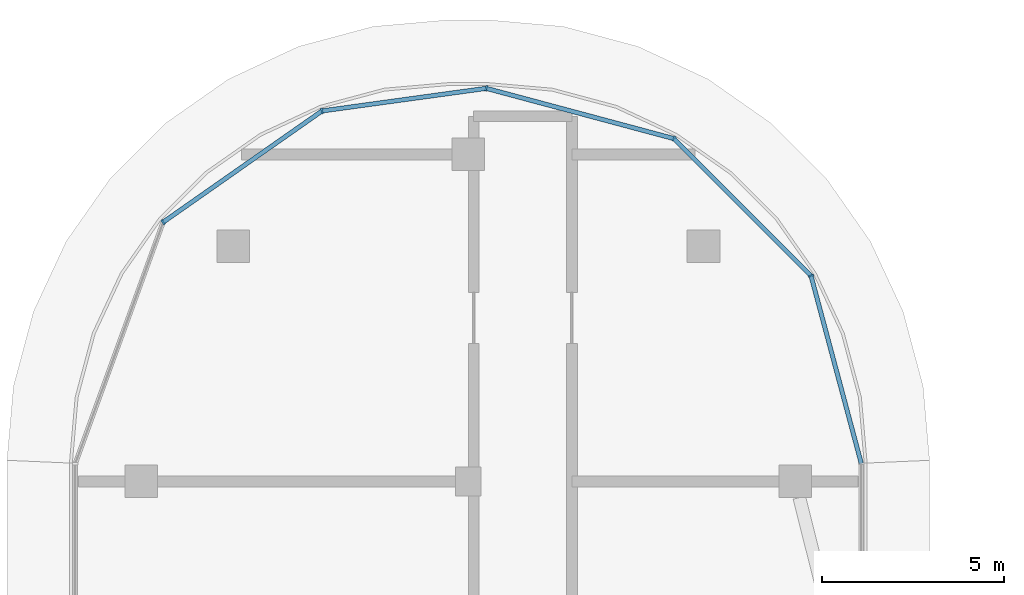
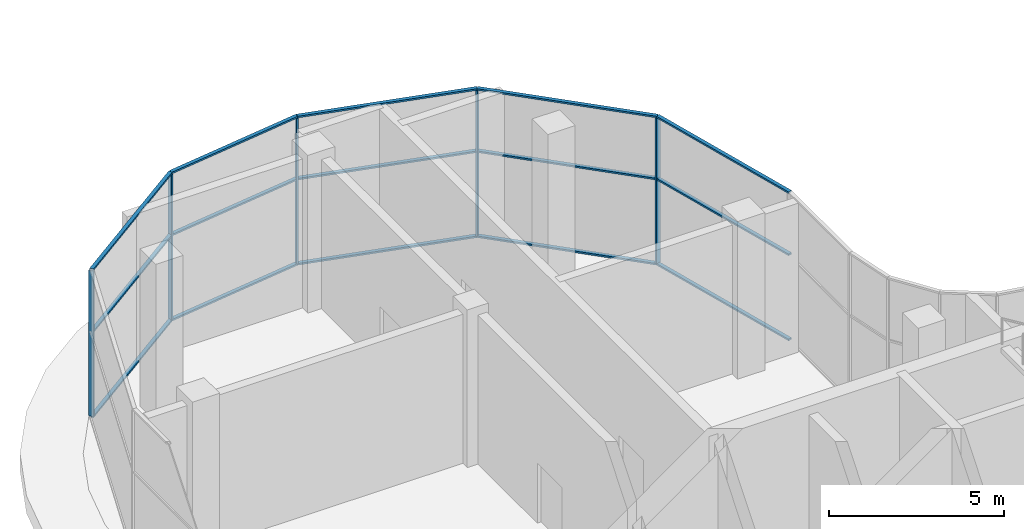
# One storey, part 9 of 23: 20 members, 1 element without a shape of its own.
"""IFC4 building model written with IfcOpenShell, lengths in metres."""

import ifcopenshell
import ifcopenshell.guid

model = None  # the IFC model being written
_history = None  # IfcOwnerHistory: only IFC2X3 demands one
_inside = {}  # id of a spatial element -> (the spatial element, [elements in it])
_under = {}  # id of a project, library or spatial element -> (it, [spatial elements below it])
_declared = {}  # id of a project -> (the project, [libraries it declares])
_typed = {}  # id of a type object -> (the type object, [elements of that type])
_made_of = {}  # id of a material, layer set ... -> (it, [elements and type objects made of it])


def new_model(schema):
    """Start an empty IFC model of exactly this schema.

    Asked for "IFC4X3", IfcOpenShell would pick the latest addendum, in which some entities
    have other attributes; the version numbers below select the first issue.
    IFC2X3 requires an IfcOwnerHistory on every rooted entity: one is made here for all.
    """
    global model, _history
    if schema == "IFC4X3":
        model = ifcopenshell.file(schema_version=(4, 3, 0, 0))
    else:
        model = ifcopenshell.file(schema=schema)
    _inside.clear()
    _under.clear()
    _declared.clear()
    _typed.clear()
    _made_of.clear()
    _history = None
    if model.schema == "IFC2X3":
        org = make("IfcOrganization", Name="unknown")
        user = make(
            "IfcPersonAndOrganization",
            ThePerson=make("IfcPerson", FamilyName="unknown"),
            TheOrganization=org,
        )
        app = make(
            "IfcApplication",
            ApplicationDeveloper=org,
            Version="unknown",
            ApplicationFullName="unknown",
            ApplicationIdentifier="unknown",
        )
        _history = make(
            "IfcOwnerHistory",
            OwningUser=user,
            OwningApplication=app,
            ChangeAction="ADDED",
            CreationDate=0,
        )
    return model


def make(cls, **values):
    """One entity of the class cls with the attributes given. An attribute that is None is left unset."""
    return model.create_entity(
        cls, **{name: value for name, value in values.items() if value is not None}
    )


def rooted(cls, **values):
    """An entity with a GlobalId (a new one), such as an element, a storey or a relation."""
    return make(cls, GlobalId=ifcopenshell.guid.new(), OwnerHistory=_history, **values)


def si_unit(unit_type, name, prefix=None):
    """IfcSIUnit, for example si_unit("LENGTHUNIT", "METRE", prefix="MILLI")."""
    return make("IfcSIUnit", UnitType=unit_type, Prefix=prefix, Name=name)


def assignment(units):
    """IfcUnitAssignment: the units of a project."""
    return None if units is None else make("IfcUnitAssignment", Units=units)


def point(xyz):
    """IfcCartesianPoint."""
    return None if xyz is None else make("IfcCartesianPoint", Coordinates=xyz)


def direction(xyz):
    """IfcDirection."""
    return None if xyz is None else make("IfcDirection", DirectionRatios=xyz)


def frame(location, z_axis=None, x_axis=None):
    """IfcAxis2Placement3D, a coordinate frame: its origin and axes. An axis left out is left unset."""
    return make(
        "IfcAxis2Placement3D",
        Location=point(location),
        Axis=direction(z_axis),
        RefDirection=direction(x_axis),
    )


def frame_2d(location, x_axis=None):
    """IfcAxis2Placement2D, a coordinate frame in the plane: its origin and x axis."""
    return make(
        "IfcAxis2Placement2D", Location=point(location), RefDirection=direction(x_axis)
    )


def origin():
    """The frame at (0, 0, 0) with its axes left unset."""
    return frame((0.0, 0.0, 0.0))


def origin_2d():
    """The frame at (0, 0) in the plane with its x axis left unset."""
    return frame_2d((0.0, 0.0))


def place(relative_to, where):
    """IfcLocalPlacement: puts the frame where relative to a parent placement (None: the world)."""
    return make(
        "IfcLocalPlacement", PlacementRelTo=relative_to, RelativePlacement=where
    )


def context(
    kind, dimensions, precision=None, world=None, true_north=None, identifier=None
):
    """IfcGeometricRepresentationContext, for example the 3D "Model" context."""
    return make(
        "IfcGeometricRepresentationContext",
        ContextIdentifier=identifier,
        ContextType=kind,
        CoordinateSpaceDimension=dimensions,
        Precision=precision,
        WorldCoordinateSystem=world,
        TrueNorth=true_north,
    )


def subcontext(parent, identifier, kind, view, scale=None):
    """IfcGeometricRepresentationSubContext, for example "Body" below "Model"."""
    return make(
        "IfcGeometricRepresentationSubContext",
        ContextIdentifier=identifier,
        ContextType=kind,
        ParentContext=parent,
        TargetScale=scale,
        TargetView=view,
    )


def project(units=None, contexts=None):
    """IfcProject with its units and contexts."""
    return rooted(
        "IfcProject",
        Name="project",
        RepresentationContexts=contexts,
        UnitsInContext=assignment(units),
    )


def spatial(cls, under=None, at=None, **own):
    """A site, building, storey or space (cls), placed at a placement, below another one or the project."""
    s = rooted(cls, ObjectPlacement=at, **own)
    if under is not None:
        _under.setdefault(under.id(), (under, []))[1].append(s)
    return s


def profile(cls, at=None, kind="AREA", **sizes):
    """A parametric profile (cls). Its sizes go by their IFC names, for example OverallWidth=200.0."""
    return make(cls, ProfileType=kind, Position=at, **sizes)


def rectangle(**sizes):
    """IfcRectangleProfileDef."""
    return profile("IfcRectangleProfileDef", **sizes)


def extrude(swept, where, along, depth):
    """IfcExtrudedAreaSolid: the profile swept, set in the frame where, extruded along a direction by depth."""
    return make(
        "IfcExtrudedAreaSolid",
        SweptArea=swept,
        Position=where,
        ExtrudedDirection=direction(along),
        Depth=depth,
    )


def shape(context_of_items, identifier, shape_type, items):
    """IfcShapeRepresentation: the items that make up one representation, for example the "Body"."""
    return make(
        "IfcShapeRepresentation",
        ContextOfItems=context_of_items,
        RepresentationIdentifier=identifier,
        RepresentationType=shape_type,
        Items=items,
    )


def material(Name=None, Category=None):
    """IfcMaterial."""
    return make("IfcMaterial", Name=Name, Category=Category)


def material_profile(
    of_material, cross_section, Name=None, Category=None, Priority=None
):
    """IfcMaterialProfile: a cross section and its material."""
    return make(
        "IfcMaterialProfile",
        Name=Name,
        Material=of_material,
        Profile=cross_section,
        Priority=Priority,
        Category=Category,
    )


def profile_set(profiles, Name=None, composite=None):
    """IfcMaterialProfileSet."""
    return make(
        "IfcMaterialProfileSet",
        Name=Name,
        MaterialProfiles=profiles,
        CompositeProfile=composite,
    )


def made_of(thing, what):
    """Note that an element or type object is made of a material, layer set ...; save() writes the relation."""
    if what is not None:
        _made_of.setdefault(what.id(), (what, []))[1].append(thing)
    return thing


def type_object(cls, material=None, **own):
    """A type object (cls), such as IfcWallType, which elements share."""
    return made_of(rooted(cls, **own), material)


def element(
    cls,
    number,
    at=None,
    inside=None,
    cuts=None,
    type_object=None,
    material=None,
    context=None,
    identifier="Body",
    shape_type=None,
    held_by="IfcProductDefinitionShape",
    body=None,
    shapes=None,
    **own,
):
    """One element of the class cls, such as IfcWall. Its Tag is "e" and its number.

    at: its placement. inside: the storey or other place that contains it. cuts: it is an
    opening in that element (IfcRelVoidsElement). A single representation is given by context,
    identifier, shape_type and body (its items); several are given by shapes. held_by: the class
    of the entity that holds the representations. save() writes the other relations.
    """
    e = rooted(cls, Tag="e%d" % number, ObjectPlacement=at, **own)
    if body is not None:
        shapes = [shape(context, identifier, shape_type, body)]
    if shapes is not None:
        e.Representation = make(held_by, Representations=shapes)
    if inside is not None:
        _inside.setdefault(inside.id(), (inside, []))[1].append(e)
    if cuts is not None:
        rooted(
            "IfcRelVoidsElement", RelatingBuildingElement=cuts, RelatedOpeningElement=e
        )
    if type_object is not None:
        _typed.setdefault(type_object.id(), (type_object, []))[1].append(e)
    return made_of(e, material)


def aggregate(whole, parts):
    """IfcRelAggregates: a whole, such as a stair, and the parts it consists of."""
    return rooted("IfcRelAggregates", RelatingObject=whole, RelatedObjects=parts)


def save(model, path):
    """Write the relations noted so far, then the file.

    IfcRelAggregates (storeys below a building ...), IfcRelContainedInSpatialStructure (elements
    in a storey), IfcRelDefinesByType, IfcRelAssociatesMaterial and IfcRelDeclares: one each for
    every whole, place, type object, material and project.
    """
    for whole, parts in _under.values():
        aggregate(whole, parts)
    for where, things in _inside.values():
        rooted(
            "IfcRelContainedInSpatialStructure",
            RelatedElements=things,
            RelatingStructure=where,
        )
    for kind, things in _typed.values():
        rooted("IfcRelDefinesByType", RelatedObjects=things, RelatingType=kind)
    for what, things in _made_of.values():
        rooted("IfcRelAssociatesMaterial", RelatedObjects=things, RelatingMaterial=what)
    for by, libraries in _declared.values():
        rooted("IfcRelDeclares", RelatingContext=by, RelatedDefinitions=libraries)
    model.write(path)


model = new_model("IFC4")

# Units and contexts
model_context = context("Model", 3, precision=1e-05, world=origin(), true_north=direction((0.0, 1.0)))
body_context = subcontext(model_context, "Body", "Model", "MODEL_VIEW")
ifc_project = project(units=[si_unit("LENGTHUNIT", "METRE"), si_unit("AREAUNIT", "SQUARE_METRE"), si_unit("VOLUMEUNIT", "CUBIC_METRE"), si_unit("PLANEANGLEUNIT", "RADIAN"), si_unit("MASSUNIT", "GRAM", prefix="KILO")], contexts=[model_context])

# Site, building, storey
site_placement = place(None, origin())
site = spatial("IfcSite", under=ifc_project, at=site_placement, CompositionType="ELEMENT")
building_placement = place(site_placement, origin())
building = spatial("IfcBuilding", under=site, at=building_placement, Name="Ogive Portal Towers", CompositionType="ELEMENT")
storey_placement = place(building_placement, frame((0.0, 0.0, 249.39990234375)))
storey = spatial("IfcBuildingStorey", under=building, at=storey_placement, Name="L62", CompositionType="ELEMENT", Elevation=249.39990234375)

# Curtain wall, members
ifc_material_1 = material(Name="Glass, clear low-iron insulated glazing", Category="glass")
curtain_wall_type = type_object("IfcCurtainWallType", Name="CW OBSERVATION WALL", PredefinedType="NOTDEFINED", material=ifc_material_1)
curtain_wall_placement = place(storey_placement, origin())
curtain_wall = element("IfcCurtainWall", 1, at=curtain_wall_placement, inside=storey, type_object=curtain_wall_type, Name="A:L62:f19:cwa", PredefinedType="NOTDEFINED")
ifc_material_2 = material(Name="Aluminium 6063 anodised", Category="aluminium")
ifc_material_profile_1 = material_profile(ifc_material_2, rectangle(XDim=0.159912109375, YDim=0.06005859375, at=origin_2d()), Name="AL 60x160")
ifc_profile_set_1 = profile_set([ifc_material_profile_1], Name="Aluminium 6063 anodised")
member_type_1 = type_object("IfcMemberType", Name="CW MULLION 60x160", PredefinedType="MULLION", material=ifc_profile_set_1)
member_1_placement = place(storey_placement, frame((49.93505859375, 54.15869140625, 0.06005859375), z_axis=(0.0, 0.0, 1.0), x_axis=(-0.965925826289, -0.258819045103, 0.0)))
member_1 = element("IfcMember", 2, at=member_1_placement, type_object=member_type_1, Name="mullion", PredefinedType="MULLION", context=body_context, shape_type="SweptSolid", body=[
    extrude(rectangle(XDim=0.159912109375, YDim=0.06005859375, at=origin_2d()), origin(), (0.0, 0.0, 1.0), 5.080078125),
])
member_2_placement = place(storey_placement, frame((46.15869140625, 57.93505859375, 0.06005859375), z_axis=(0.0, 0.0, 1.0), x_axis=(-0.707106781187, -0.707106781187, 0.0)))
member_2 = element("IfcMember", 3, at=member_2_placement, type_object=member_type_1, Name="mullion", PredefinedType="MULLION", context=body_context, shape_type="SweptSolid", body=[
    extrude(rectangle(XDim=0.159912109375, YDim=0.06005859375, at=origin_2d()), origin(), (0.0, 0.0, 1.0), 5.080078125),
])
member_3_placement = place(storey_placement, frame((40.994873046875, 59.318603515625, 0.06005859375), z_axis=(0.0, 0.0, 1.0), x_axis=(-0.258819045103, -0.965925826289, 0.0)))
member_3 = element("IfcMember", 4, at=member_3_placement, type_object=member_type_1, Name="mullion", PredefinedType="MULLION", context=body_context, shape_type="SweptSolid", body=[
    extrude(rectangle(XDim=0.159912109375, YDim=0.06005859375, at=origin_2d()), origin(), (0.0, 0.0, 1.0), 5.080078125),
])
member_4_placement = place(storey_placement, frame((36.47314453125, 58.6962890625, 0.06005859375), z_axis=(0.0, 0.0, 1.0), x_axis=(0.13634804852, -0.990660996338, 0.0)))
member_4 = element("IfcMember", 5, at=member_4_placement, type_object=member_type_1, Name="mullion", PredefinedType="MULLION", context=body_context, shape_type="SweptSolid", body=[
    extrude(rectangle(XDim=0.159912109375, YDim=0.06005859375, at=origin_2d()), origin(), (0.0, 0.0, 1.0), 5.080078125),
])
member_5_placement = place(storey_placement, frame((32.099609375, 55.634033203125, 0.06005859375), z_axis=(0.0, 0.0, 1.0), x_axis=(0.573576436351, -0.819152044289, 0.0)))
member_5 = element("IfcMember", 6, at=member_5_placement, type_object=member_type_1, Name="mullion", PredefinedType="MULLION", context=body_context, shape_type="SweptSolid", body=[
    extrude(rectangle(XDim=0.159912109375, YDim=0.06005859375, at=origin_2d()), origin(), (0.0, 0.0, 1.0), 5.080078125),
])
ifc_material_profile_2 = material_profile(ifc_material_2, rectangle(XDim=0.1201171875, YDim=0.06005859375, at=origin_2d()), Name="AL 120x60")
ifc_profile_set_2 = profile_set([ifc_material_profile_2], Name="Aluminium 6063 anodised")
member_type_2 = type_object("IfcMemberType", Name="CW TRANSOM 60x120", PredefinedType="USERDEFINED", material=ifc_profile_set_2)
member_6_placement = place(storey_placement, frame((51.320068359375, 48.989501953125, 0.030029296875), z_axis=(-0.258806775726, 0.965929113775, 0.0), x_axis=(-0.965929113775, -0.258806775726, 0.0)))
member_6 = element("IfcMember", 7, at=member_6_placement, type_object=member_type_2, Name="transom", ObjectType="TRANSOM", PredefinedType="USERDEFINED", context=body_context, shape_type="SweptSolid", body=[
    extrude(rectangle(XDim=0.1201171875, YDim=0.06005859375, at=origin_2d()), origin(), (0.0, 0.0, 1.0), 5.3515625),
])
member_7_placement = place(storey_placement, frame((51.320068359375, 48.989501953125, 3.0), z_axis=(-0.258806775726, 0.965929113775, 0.0), x_axis=(-0.965929113775, -0.258806775726, 0.0)))
member_7 = element("IfcMember", 8, at=member_7_placement, type_object=member_type_2, Name="transom", ObjectType="TRANSOM", PredefinedType="USERDEFINED", context=body_context, shape_type="SweptSolid", body=[
    extrude(rectangle(XDim=0.1201171875, YDim=0.06005859375, at=origin_2d()), origin(), (0.0, 0.0, 1.0), 5.3515625),
])
member_8_placement = place(storey_placement, frame((51.320068359375, 48.989501953125, 5.170166015625), z_axis=(-0.258806775726, 0.965929113775, 0.0), x_axis=(-0.965929113775, -0.258806775726, 0.0)))
member_8 = element("IfcMember", 9, at=member_8_placement, type_object=member_type_2, Name="transom", ObjectType="TRANSOM", PredefinedType="USERDEFINED", context=body_context, shape_type="SweptSolid", body=[
    extrude(rectangle(XDim=0.1201171875, YDim=0.06005859375, at=origin_2d()), origin(), (0.0, 0.0, 1.0), 5.3515625),
])
member_9_placement = place(storey_placement, frame((49.93505859375, 54.15869140625, 0.030029296875), z_axis=(-0.707106781187, 0.707106781187, 0.0), x_axis=(-0.707106781187, -0.707106781187, 0.0)))
member_9 = element("IfcMember", 10, at=member_9_placement, type_object=member_type_2, Name="transom", ObjectType="TRANSOM", PredefinedType="USERDEFINED", context=body_context, shape_type="SweptSolid", body=[
    extrude(rectangle(XDim=0.1201171875, YDim=0.06005859375, at=origin_2d()), origin(), (0.0, 0.0, 1.0), 5.340576171875),
])
member_10_placement = place(storey_placement, frame((49.93505859375, 54.15869140625, 3.0), z_axis=(-0.707106781187, 0.707106781187, 0.0), x_axis=(-0.707106781187, -0.707106781187, 0.0)))
member_10 = element("IfcMember", 11, at=member_10_placement, type_object=member_type_2, Name="transom", ObjectType="TRANSOM", PredefinedType="USERDEFINED", context=body_context, shape_type="SweptSolid", body=[
    extrude(rectangle(XDim=0.1201171875, YDim=0.06005859375, at=origin_2d()), origin(), (0.0, 0.0, 1.0), 5.340576171875),
])
member_11_placement = place(storey_placement, frame((49.93505859375, 54.15869140625, 5.170166015625), z_axis=(-0.707106781187, 0.707106781187, 0.0), x_axis=(-0.707106781187, -0.707106781187, 0.0)))
member_11 = element("IfcMember", 12, at=member_11_placement, type_object=member_type_2, Name="transom", ObjectType="TRANSOM", PredefinedType="USERDEFINED", context=body_context, shape_type="SweptSolid", body=[
    extrude(rectangle(XDim=0.1201171875, YDim=0.06005859375, at=origin_2d()), origin(), (0.0, 0.0, 1.0), 5.340576171875),
])
member_12_placement = place(storey_placement, frame((46.15869140625, 57.93505859375, 0.030029296875), z_axis=(-0.965930317269, 0.258802283956, 0.0), x_axis=(-0.258802283956, -0.965930317269, 0.0)))
member_12 = element("IfcMember", 13, at=member_12_placement, type_object=member_type_2, Name="transom", ObjectType="TRANSOM", PredefinedType="USERDEFINED", context=body_context, shape_type="SweptSolid", body=[
    extrude(rectangle(XDim=0.1201171875, YDim=0.06005859375, at=origin_2d()), origin(), (0.0, 0.0, 1.0), 5.345947265625),
])
member_13_placement = place(storey_placement, frame((46.15869140625, 57.93505859375, 3.0), z_axis=(-0.965930317269, 0.258802283956, 0.0), x_axis=(-0.258802283956, -0.965930317269, 0.0)))
member_13 = element("IfcMember", 14, at=member_13_placement, type_object=member_type_2, Name="transom", ObjectType="TRANSOM", PredefinedType="USERDEFINED", context=body_context, shape_type="SweptSolid", body=[
    extrude(rectangle(XDim=0.1201171875, YDim=0.06005859375, at=origin_2d()), origin(), (0.0, 0.0, 1.0), 5.345947265625),
])
member_14_placement = place(storey_placement, frame((46.15869140625, 57.93505859375, 5.170166015625), z_axis=(-0.965930317269, 0.258802283956, 0.0), x_axis=(-0.258802283956, -0.965930317269, 0.0)))
member_14 = element("IfcMember", 15, at=member_14_placement, type_object=member_type_2, Name="transom", ObjectType="TRANSOM", PredefinedType="USERDEFINED", context=body_context, shape_type="SweptSolid", body=[
    extrude(rectangle(XDim=0.1201171875, YDim=0.06005859375, at=origin_2d()), origin(), (0.0, 0.0, 1.0), 5.345947265625),
])
member_15_placement = place(storey_placement, frame((40.994873046875, 59.318603515625, 0.030029296875), z_axis=(-0.990661779064, -0.136342361365, 0.0), x_axis=(0.136342361365, -0.990661779064, 0.0)))
member_15 = element("IfcMember", 16, at=member_15_placement, type_object=member_type_2, Name="transom", ObjectType="TRANSOM", PredefinedType="USERDEFINED", context=body_context, shape_type="SweptSolid", body=[
    extrude(rectangle(XDim=0.1201171875, YDim=0.06005859375, at=origin_2d()), origin(), (0.0, 0.0, 1.0), 4.564453125),
])
member_16_placement = place(storey_placement, frame((40.994873046875, 59.318603515625, 3.0), z_axis=(-0.990661779064, -0.136342361365, 0.0), x_axis=(0.136342361365, -0.990661779064, 0.0)))
member_16 = element("IfcMember", 17, at=member_16_placement, type_object=member_type_2, Name="transom", ObjectType="TRANSOM", PredefinedType="USERDEFINED", context=body_context, shape_type="SweptSolid", body=[
    extrude(rectangle(XDim=0.1201171875, YDim=0.06005859375, at=origin_2d()), origin(), (0.0, 0.0, 1.0), 4.564453125),
])
member_17_placement = place(storey_placement, frame((40.994873046875, 59.318603515625, 5.170166015625), z_axis=(-0.990661779064, -0.136342361365, 0.0), x_axis=(0.136342361365, -0.990661779064, 0.0)))
member_17 = element("IfcMember", 18, at=member_17_placement, type_object=member_type_2, Name="transom", ObjectType="TRANSOM", PredefinedType="USERDEFINED", context=body_context, shape_type="SweptSolid", body=[
    extrude(rectangle(XDim=0.1201171875, YDim=0.06005859375, at=origin_2d()), origin(), (0.0, 0.0, 1.0), 4.564453125),
])
member_18_placement = place(storey_placement, frame((36.47314453125, 58.6962890625, 0.030029296875), z_axis=(-0.819163169873, -0.573560547042, 0.0), x_axis=(0.573560547042, -0.819163169873, 0.0)))
member_18 = element("IfcMember", 19, at=member_18_placement, type_object=member_type_2, Name="transom", ObjectType="TRANSOM", PredefinedType="USERDEFINED", context=body_context, shape_type="SweptSolid", body=[
    extrude(rectangle(XDim=0.1201171875, YDim=0.06005859375, at=origin_2d()), origin(), (0.0, 0.0, 1.0), 5.339111328125),
])
member_19_placement = place(storey_placement, frame((36.47314453125, 58.6962890625, 3.0), z_axis=(-0.819163169873, -0.573560547042, 0.0), x_axis=(0.573560547042, -0.819163169873, 0.0)))
member_19 = element("IfcMember", 20, at=member_19_placement, type_object=member_type_2, Name="transom", ObjectType="TRANSOM", PredefinedType="USERDEFINED", context=body_context, shape_type="SweptSolid", body=[
    extrude(rectangle(XDim=0.1201171875, YDim=0.06005859375, at=origin_2d()), origin(), (0.0, 0.0, 1.0), 5.339111328125),
])
member_20_placement = place(storey_placement, frame((36.47314453125, 58.6962890625, 5.170166015625), z_axis=(-0.819163169873, -0.573560547042, 0.0), x_axis=(0.573560547042, -0.819163169873, 0.0)))
member_20 = element("IfcMember", 21, at=member_20_placement, type_object=member_type_2, Name="transom", ObjectType="TRANSOM", PredefinedType="USERDEFINED", context=body_context, shape_type="SweptSolid", body=[
    extrude(rectangle(XDim=0.1201171875, YDim=0.06005859375, at=origin_2d()), origin(), (0.0, 0.0, 1.0), 5.339111328125),
])
aggregate(curtain_wall, [member_6, member_7, member_8, member_9, member_10, member_11, member_12, member_13, member_14, member_15, member_16, member_17, member_18, member_19, member_20, member_1, member_2, member_3, member_4, member_5])

save(model, "model.ifc")
